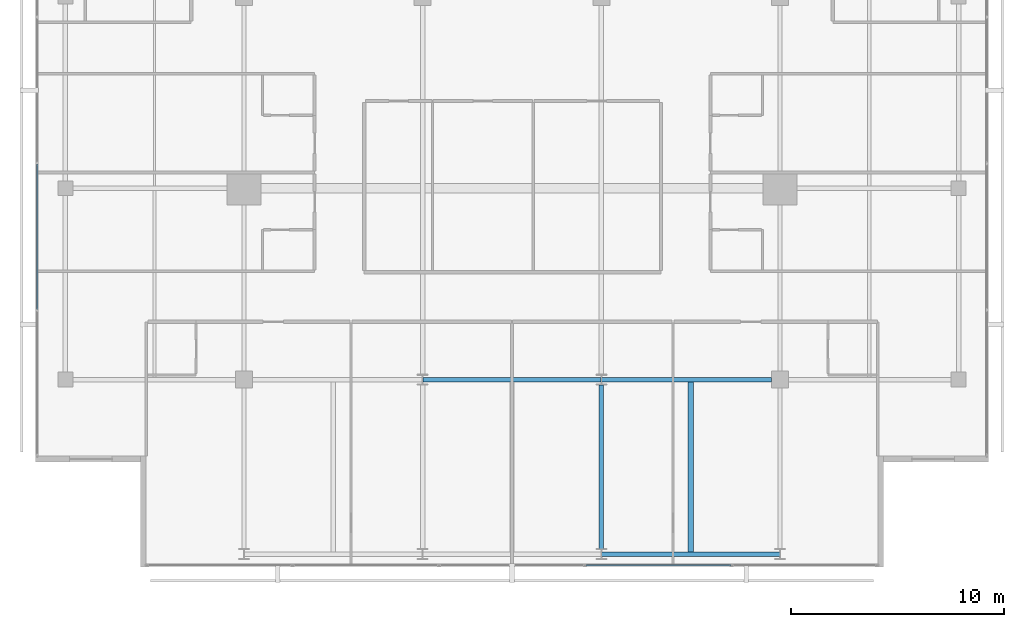
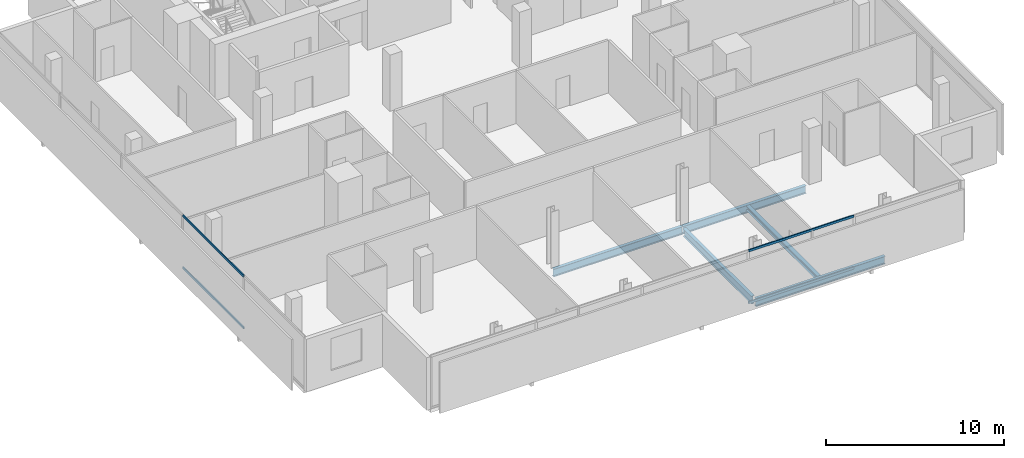
# One storey, part 7 of 25: 5 beams, 4 members, 2 elements without a shape of their own.
"""IFC4 building model written with IfcOpenShell, lengths in metres."""

from ifc_helpers import new_model, si_unit, direction, frame, origin, origin_2d, place, context, subcontext, project, spatial, hollow_rectangle, i_section, extrude, material, layer, layer_set, material_profile, profile_set, type_object, element, aggregate, save


model = new_model("IFC4")

# Units and contexts
model_context = context("Model", 3, precision=1e-05, world=origin(), true_north=direction((0.0, 1.0)))
body_context = subcontext(model_context, "Body", "Model", "MODEL_VIEW")
ifc_project = project(units=[si_unit("LENGTHUNIT", "METRE"), si_unit("AREAUNIT", "SQUARE_METRE"), si_unit("VOLUMEUNIT", "CUBIC_METRE"), si_unit("PLANEANGLEUNIT", "RADIAN"), si_unit("MASSUNIT", "GRAM", prefix="KILO")], contexts=[model_context])

# Site, building, storey
site_placement = place(None, origin())
site = spatial("IfcSite", under=ifc_project, at=site_placement, CompositionType="ELEMENT")
building_placement = place(site_placement, origin())
building = spatial("IfcBuilding", under=site, at=building_placement, Name="Maruvema Waterfront Hotel and Observation Tower", CompositionType="ELEMENT")
storey_placement = place(building_placement, frame((0.0, 0.0, 274.050048828125)))
storey = spatial("IfcBuildingStorey", under=building, at=storey_placement, Name="L67", CompositionType="ELEMENT", Elevation=274.050048828125)

# Curtain wall, members
ifc_material_1 = material(Name="Anodised bronze aluminium and solar-control low-E IGU", Category="aluminium")
ifc_layer = layer(ifc_material_1, 0.159912109375, Name="Zone 3 Champagne Inner Thermal Curtain Wall System CW-04")
ifc_layer_set = layer_set([ifc_layer], Name="Anodised bronze aluminium and solar-control low-E IGU")
curtain_wall_type = type_object("IfcCurtainWallType", Name="Zone 3 Champagne Inner Thermal Curtain Wall System CW-04", PredefinedType="USERDEFINED", material=ifc_layer_set)
curtain_wall_1_placement = place(storey_placement, origin())
curtain_wall_1 = element("IfcCurtainWall", 1, at=curtain_wall_1_placement, inside=storey, type_object=curtain_wall_type, Name="L67 Curtain Wall CW-L67-S", ObjectType="UNITISED CURTAIN WALL", PredefinedType="USERDEFINED")
ifc_material_2 = material(Name="Anodised architectural bronze aluminium", Category="aluminium")
ifc_material_profile_1 = material_profile(ifc_material_2, hollow_rectangle(XDim=0.070068359375, YDim=0.14990234375, WallThickness=0.00390625, at=origin_2d()), Name="ALU-T70x150")
ifc_profile_set_1 = profile_set([ifc_material_profile_1], Name="Anodised architectural bronze aluminium")
member_type = type_object("IfcMemberType", Name="Curtain Wall Horizontal Transom ALU-T70x150", PredefinedType="USERDEFINED", material=ifc_profile_set_1)
member_1_placement = place(storey_placement, frame((41.27001953125, 9.280029296875, 0.030029296875), z_axis=(1.0, 0.0, 0.0), x_axis=(0.0, 1.0, 0.0)))
member_1 = element("IfcMember", 2, at=member_1_placement, type_object=member_type, Name="CW-04 transom 4.1", ObjectType="TRANSOM", PredefinedType="USERDEFINED", context=body_context, shape_type="SweptSolid", body=[
    extrude(hollow_rectangle(XDim=0.070068359375, YDim=0.14990234375, WallThickness=0.00390625, at=origin_2d()), origin(), (0.0, 0.0, 1.0), 6.820068359375),
])
member_2_placement = place(storey_placement, frame((41.27001953125, 9.280029296875, 3.579833984375), z_axis=(1.0, 0.0, 0.0), x_axis=(0.0, 1.0, 0.0)))
member_2 = element("IfcMember", 3, at=member_2_placement, type_object=member_type, Name="CW-04 transom 4.2", ObjectType="TRANSOM", PredefinedType="USERDEFINED", context=body_context, shape_type="SweptSolid", body=[
    extrude(hollow_rectangle(XDim=0.070068359375, YDim=0.14990234375, WallThickness=0.00390625, at=origin_2d()), origin(), (0.0, 0.0, 1.0), 6.820068359375),
])
aggregate(curtain_wall_1, [member_1, member_2])

curtain_wall_2_placement = place(storey_placement, origin())
curtain_wall_2 = element("IfcCurtainWall", 4, at=curtain_wall_2_placement, inside=storey, type_object=curtain_wall_type, Name="L67 Curtain Wall CW-L67-W", ObjectType="UNITISED CURTAIN WALL", PredefinedType="USERDEFINED")
member_3_placement = place(storey_placement, frame((15.47998046875, 28.1298828125, 0.030029296875), z_axis=(0.0, -1.0, 0.0), x_axis=(1.0, 0.0, 0.0)))
member_3 = element("IfcMember", 5, at=member_3_placement, type_object=member_type, Name="CW-04 transom 4.1", ObjectType="TRANSOM", PredefinedType="USERDEFINED", context=body_context, shape_type="SweptSolid", body=[
    extrude(hollow_rectangle(XDim=0.070068359375, YDim=0.14990234375, WallThickness=0.00390625, at=origin_2d()), origin(), (0.0, 0.0, 1.0), 6.81982421875),
])
member_4_placement = place(storey_placement, frame((15.47998046875, 28.1298828125, 3.579833984375), z_axis=(0.0, -1.0, 0.0), x_axis=(1.0, 0.0, 0.0)))
member_4 = element("IfcMember", 6, at=member_4_placement, type_object=member_type, Name="CW-04 transom 4.2", ObjectType="TRANSOM", PredefinedType="USERDEFINED", context=body_context, shape_type="SweptSolid", body=[
    extrude(hollow_rectangle(XDim=0.070068359375, YDim=0.14990234375, WallThickness=0.00390625, at=origin_2d()), origin(), (0.0, 0.0, 1.0), 6.81982421875),
])
aggregate(curtain_wall_2, [member_3, member_4])

# Beams
ifc_material_3 = material(Name="Steel ASTM A572 Grade 50", Category="steel")
ifc_material_profile_2 = material_profile(ifc_material_3, i_section(OverallWidth=0.208984375, OverallDepth=0.532958984375, WebThickness=0.01025390625, FlangeThickness=0.015625, FilletRadius=0.014892578125, at=origin_2d()), Name="W530x92.0")
ifc_profile_set_2 = profile_set([ifc_material_profile_2], Name="Steel ASTM A572 Grade 50")
beam_type_1 = type_object("IfcBeamType", Name="Primary Floor Girder W530x92.0", PredefinedType="BEAM", material=ifc_profile_set_2)
for number, where, z_axis, x_axis, name in (
    (7, (42.010986328125, 9.800048828125, -0.506591796875), (1.0, 0.0, 0.0), (0.0, 1.0, 0.0), "L67 Floor Girder EW-03"),
    (8, (33.611083984375, 18.0, -0.506591796875), (1.0, 0.0, 0.0), (0.0, 1.0, 0.0), "L67 Floor Girder EW-06"),
):
    element("IfcBeam", number, at=place(storey_placement, frame(where, z_axis=z_axis, x_axis=x_axis)), inside=storey, type_object=beam_type_1, Name=name, PredefinedType="BEAM", context=body_context, shape_type="SweptSolid", body=[
        extrude(i_section(OverallWidth=0.208984375, OverallDepth=0.532958984375, WebThickness=0.01025390625, FlangeThickness=0.015625, FilletRadius=0.014892578125, at=origin_2d()), origin(), (0.0, 0.0, 1.0), 8.3779296875),
    ])
beam_1_placement = place(storey_placement, frame((42.010986328125, 18.0, -0.506591796875), z_axis=(1.0, 0.0, 0.0), x_axis=(0.0, 1.0, 0.0)))
element("IfcBeam", 9, at=beam_1_placement, inside=storey, type_object=beam_type_1, Name="L67 Floor Girder EW-07", PredefinedType="BEAM", context=body_context, shape_type="SweptSolid", body=[
    extrude(i_section(OverallWidth=0.208984375, OverallDepth=0.532958984375, WebThickness=0.01025390625, FlangeThickness=0.015625, FilletRadius=0.014892578125, at=origin_2d()), origin(), (0.0, 0.0, 1.0), 7.989013671875),
])
beam_2_placement = place(storey_placement, frame((42.0, 10.050048828125, -0.506591796875), z_axis=(0.0, 1.0, 0.0), x_axis=(-1.0, 0.0, 0.0)))
element("IfcBeam", 10, at=beam_2_placement, inside=storey, type_object=beam_type_1, Name="L67 Floor Girder NS-10", PredefinedType="BEAM", context=body_context, shape_type="SweptSolid", body=[
    extrude(i_section(OverallWidth=0.208984375, OverallDepth=0.532958984375, WebThickness=0.01025390625, FlangeThickness=0.015625, FilletRadius=0.014892578125, at=origin_2d()), origin(), (0.0, 0.0, 1.0), 7.699951171875),
])
ifc_material_4 = material(Name="Steel ASTM A572 Grade 50", Category="steel")
ifc_material_profile_3 = material_profile(ifc_material_4, i_section(OverallWidth=0.25390625, OverallDepth=0.305908203125, WebThickness=0.0087890625, FlangeThickness=0.0146484375, FilletRadius=0.014892578125, at=origin_2d()), Name="W310x79.0")
ifc_profile_set_3 = profile_set([ifc_material_profile_3], Name="Steel ASTM A572 Grade 50")
beam_type_2 = type_object("IfcBeamType", Name="Secondary Floor Joist W310x79.0", PredefinedType="JOIST", material=ifc_profile_set_3)
beam_3_placement = place(storey_placement, frame((46.199951171875, 9.904541015625, -0.39306640625), z_axis=(0.0, 1.0, 0.0), x_axis=(-1.0, 0.0, 0.0)))
element("IfcBeam", 11, at=beam_3_placement, inside=storey, type_object=beam_type_2, Name="L67 Secondary Floor Joist JS-06", PredefinedType="JOIST", context=body_context, shape_type="SweptSolid", body=[
    extrude(i_section(OverallWidth=0.25390625, OverallDepth=0.305908203125, WebThickness=0.0087890625, FlangeThickness=0.0146484375, FilletRadius=0.014892578125, at=origin_2d()), origin(), (0.0, 0.0, 1.0), 7.990966796875),
])

save(model, "model.ifc")
